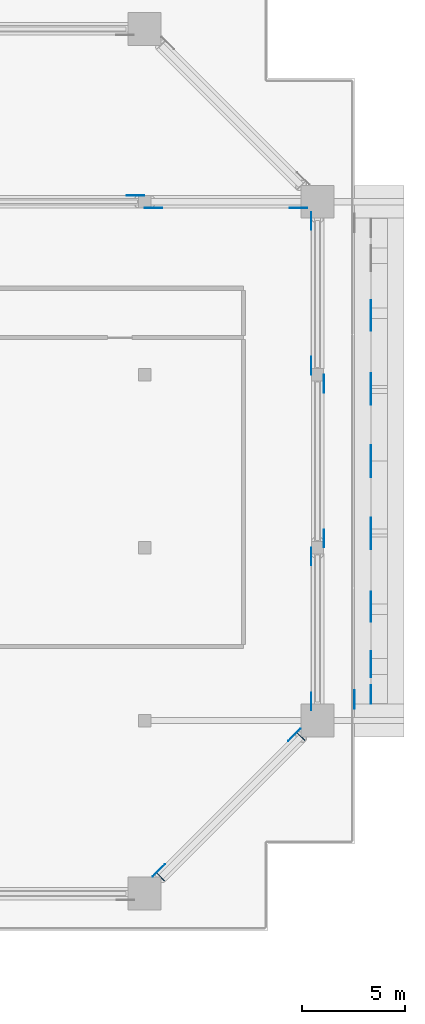
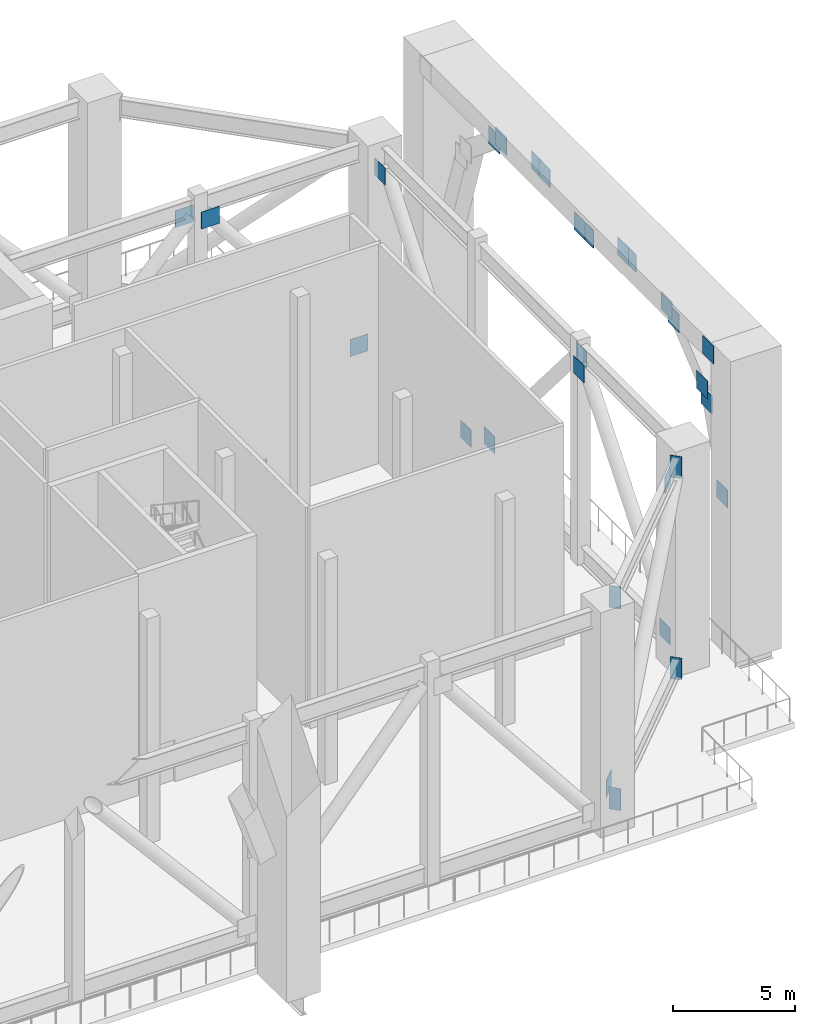
# One storey, part 14 of 19: 29 discrete accessories.
"""IFC4 building model written with IfcOpenShell, lengths in metres."""

from ifc_helpers import new_model, si_unit, direction, frame, origin, origin_2d, place, context, subcontext, project, spatial, rectangle, extrude, element, save


model = new_model("IFC4")

# Units and contexts
model_context = context("Model", 3, precision=1e-05, world=origin(), true_north=direction((0.0, 1.0)))
body_context = subcontext(model_context, "Body", "Model", "MODEL_VIEW")
ifc_project = project(units=[si_unit("LENGTHUNIT", "METRE"), si_unit("AREAUNIT", "SQUARE_METRE"), si_unit("VOLUMEUNIT", "CUBIC_METRE"), si_unit("PLANEANGLEUNIT", "RADIAN"), si_unit("MASSUNIT", "GRAM", prefix="KILO")], contexts=[model_context])

# Site, building, storey
site_placement = place(None, origin())
site = spatial("IfcSite", under=ifc_project, at=site_placement, CompositionType="ELEMENT")
building_placement = place(site_placement, origin())
building = spatial("IfcBuilding", under=site, at=building_placement, Name="Saffron Gate Tower", CompositionType="ELEMENT")
storey_placement = place(building_placement, frame((0.0, 0.0, 194.25)))
storey = spatial("IfcBuildingStorey", under=building, at=storey_placement, Name="L48", CompositionType="ELEMENT", Elevation=194.25)

# Discrete accessories
for number, where, z_axis, x_axis, name in (
    (1, (125.094970703125, 41.133056640625, 0.639892578125), (0.0, 0.0, 1.0), (0.0, 1.0, 0.0), "GUSSET PLATE"),
    (2, (125.094970703125, 48.1669921875, 9.47607421875), (0.0, 0.0, 1.0), (0.0, 1.0, 0.0), "GUSSET PLATE"),
    (3, (125.705078125, 56.561767578125, 0.635498046875), (0.0, 0.0, 1.0), (0.0, -1.0, 0.0), "GUSSET PLATE"),
    (4, (125.705078125, 49.038330078125, 9.48046875), (0.0, 0.0, 1.0), (0.0, -1.0, 0.0), "GUSSET PLATE"),
    (5, (125.094970703125, 57.43310546875, 0.639892578125), (0.0, 0.0, 1.0), (0.0, 1.0, 0.0), "GUSSET PLATE"),
    (6, (125.094970703125, 64.467041015625, 9.47607421875), (0.0, 0.0, 1.0), (0.0, 1.0, 0.0), "GUSSET PLATE"),
    (7, (117.693603515625, 32.9248046875, 0.620361328125), (0.0, 0.0, 1.0), (0.707106781187, 0.707106781187, 0.0), "GUSSET PLATE"),
    (8, (124.275146484375, 39.50634765625, 9.49560546875), (0.0, 0.0, 1.0), (0.707106781187, 0.707106781187, 0.0), "GUSSET PLATE"),
    (9, (124.467041015625, 65.094970703125, 0.639892578125), (0.0, 0.0, 1.0), (-1.0, 0.0, 0.0), "GUSSET PLATE"),
    (10, (117.43310546875, 65.094970703125, 9.47607421875), (0.0, 0.0, 1.0), (-1.0, 0.0, 0.0), "GUSSET PLATE"),
    (11, (116.553466796875, 65.705078125, 9.48779296875), (0.0, 0.0, 1.0), (1.0, 0.0, 0.0), "GUSSET PLATE"),
):
    element("IfcDiscreteAccessory", number, at=place(storey_placement, frame(where, z_axis=z_axis, x_axis=x_axis)), inside=storey, Name=name, ObjectType="GUSSET PLATE", PredefinedType="USERDEFINED", context=body_context, shape_type="SweptSolid", body=[
        extrude(rectangle(XDim=0.85400390625, YDim=0.02001953125, at=origin_2d()), origin(), (0.0, 0.0, 1.0), 0.85400390625),
    ])
for number, where, z_axis, x_axis, name in (
    (12, (128.0, 41.47021484375, 6.28125), (0.0, 0.0, 1.0), (0.0, 1.0, 0.0), "EMBEDDED PLATE"),
    (13, (128.0, 42.755126953125, 10.19677734375), (0.0, 0.0, 1.0), (0.0, 1.0, 0.0), "EMBEDDED PLATE"),
    (14, (128.0, 43.124267578125, 10.737548828125), (0.0, 0.0, 1.0), (0.0, 1.0, 0.0), "EMBEDDED PLATE"),
    (15, (128.0, 45.440673828125, 12.64892578125), (0.0, 0.0, 1.0), (0.0, 1.0, 0.0), "EMBEDDED PLATE"),
    (16, (128.0, 46.01123046875, 12.919677734375), (0.0, 0.0, 1.0), (0.0, 1.0, 0.0), "EMBEDDED PLATE"),
    (17, (128.0, 48.97119140625, 13.50927734375), (0.0, 0.0, 1.0), (0.0, 1.0, 0.0), "EMBEDDED PLATE"),
    (18, (128.0, 49.602294921875, 13.4775390625), (0.0, 0.0, 1.0), (0.0, 1.0, 0.0), "EMBEDDED PLATE"),
    (19, (128.0, 52.468017578125, 12.6015625), (0.0, 0.0, 1.0), (0.0, 1.0, 0.0), "EMBEDDED PLATE"),
    (20, (128.0, 53.132080078125, 12.6015625), (0.0, 0.0, 1.0), (0.0, 1.0, 0.0), "EMBEDDED PLATE"),
    (21, (128.0, 55.997802734375, 13.4775390625), (0.0, 0.0, 1.0), (0.0, 1.0, 0.0), "EMBEDDED PLATE"),
    (22, (128.0, 56.628662109375, 13.50927734375), (0.0, 0.0, 1.0), (0.0, 1.0, 0.0), "EMBEDDED PLATE"),
    (23, (128.0, 59.588623046875, 12.919677734375), (0.0, 0.0, 1.0), (0.0, 1.0, 0.0), "EMBEDDED PLATE"),
    (24, (128.0, 60.1591796875, 12.64892578125), (0.0, 0.0, 1.0), (0.0, 1.0, 0.0), "EMBEDDED PLATE"),
    (25, (127.199951171875, 41.22509765625, 13.900146484375), (0.0, 0.0, 1.0), (0.0, 1.0, 0.0), "EMBEDDED PLATE"),
):
    element("IfcDiscreteAccessory", number, at=place(storey_placement, frame(where, z_axis=z_axis, x_axis=x_axis)), inside=storey, Name=name, ObjectType="EMBEDDED PLATE", PredefinedType="USERDEFINED", context=body_context, shape_type="SweptSolid", body=[
        extrude(rectangle(XDim=0.89990234375, YDim=0.02001953125, at=origin_2d()), origin(), (0.0, 0.0, 1.0), 0.89990234375),
    ])
for number, where, z_axis, x_axis, name in (
    (26, (117.79296875, 32.593017578125, 9.969970703125), (0.0, 0.0, 1.0), (-0.707106781187, -0.707106781187, 0.0), "BELT TRUSS END PLATE"),
    (27, (124.607177734375, 39.406982421875, 9.969970703125), (0.0, 0.0, 1.0), (0.707106781187, 0.707106781187, 0.0), "BELT TRUSS END PLATE"),
    (28, (117.79296875, 32.593017578125, -0.10009765625), (0.0, 0.0, 1.0), (-0.707106781187, -0.707106781187, 0.0), "BELT TRUSS END PLATE"),
    (29, (124.607177734375, 39.406982421875, -0.10009765625), (0.0, 0.0, 1.0), (0.707106781187, 0.707106781187, 0.0), "BELT TRUSS END PLATE"),
):
    element("IfcDiscreteAccessory", number, at=place(storey_placement, frame(where, z_axis=z_axis, x_axis=x_axis)), inside=storey, Name=name, ObjectType="BELT TRUSS END PLATE", PredefinedType="USERDEFINED", context=body_context, shape_type="SweptSolid", body=[
        extrude(rectangle(XDim=0.02001953125, YDim=0.5, at=origin_2d()), origin(), (0.0, 0.0, 1.0), 1.10009765625),
    ])

save(model, "model.ifc")
